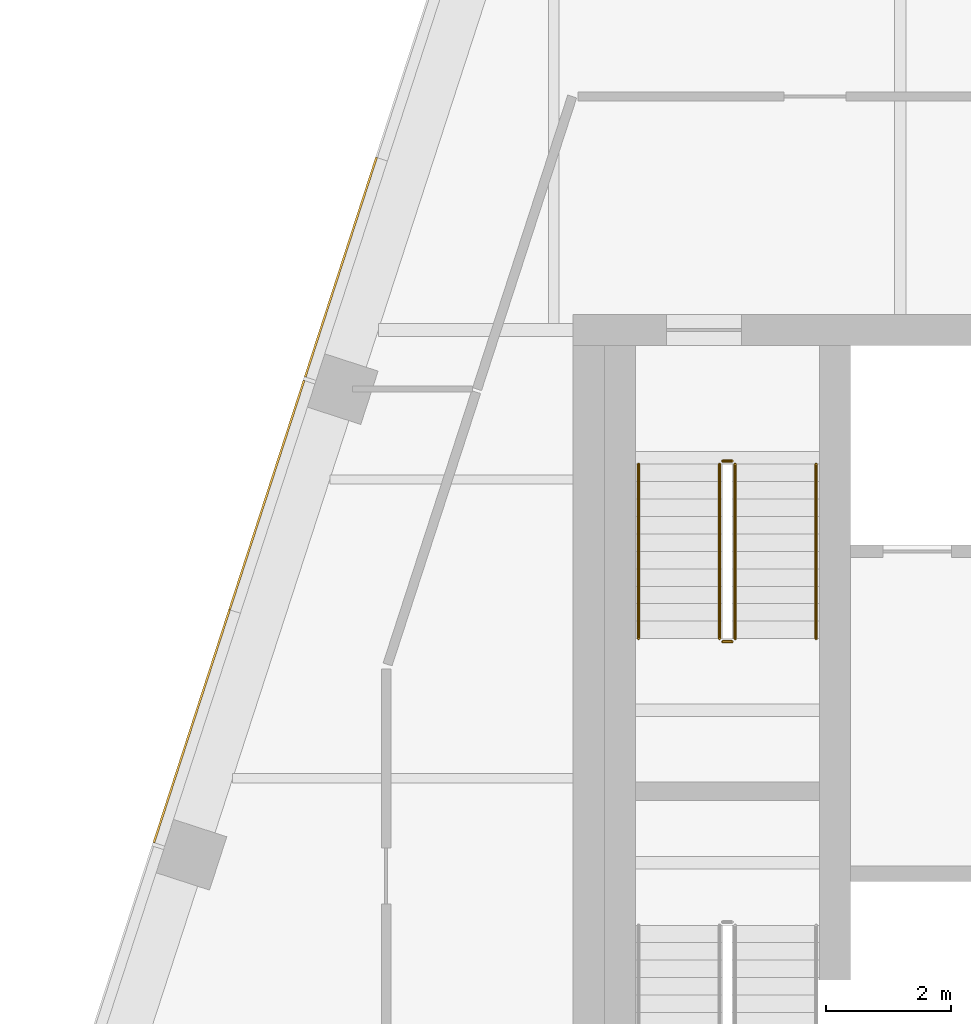
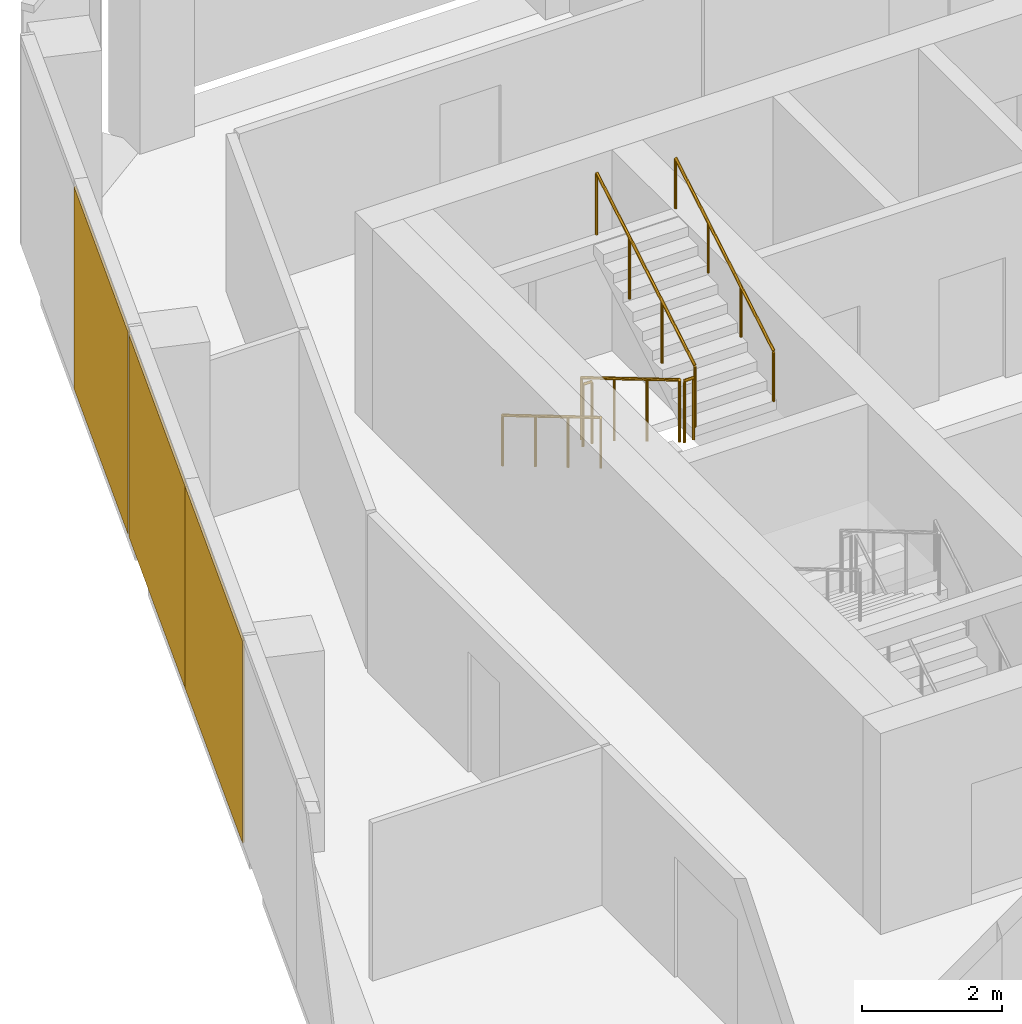
# One storey, part 14 of 15: 6 railings, 3 coverings, 1 element without a shape of its own.
"""IFC4 building model written with IfcOpenShell, lengths in metres."""

from ifc_helpers import new_model, si_unit, direction, frame, origin, origin_2d, place, context, subcontext, project, spatial, rectangle, circle, extrude, material, layer, layer_set, type_object, element, aggregate, save


model = new_model("IFC4")

# Units and contexts
model_context = context("Model", 3, precision=1e-05, world=origin(), true_north=direction((0.0, 1.0)))
body_context = subcontext(model_context, "Body", "Model", "MODEL_VIEW")
ifc_project = project(units=[si_unit("LENGTHUNIT", "METRE"), si_unit("AREAUNIT", "SQUARE_METRE"), si_unit("VOLUMEUNIT", "CUBIC_METRE"), si_unit("PLANEANGLEUNIT", "RADIAN"), si_unit("MASSUNIT", "GRAM", prefix="KILO")], contexts=[model_context])

# Site, building, storey
site_placement = place(None, origin())
site = spatial("IfcSite", under=ifc_project, at=site_placement, CompositionType="ELEMENT")
building_placement = place(site_placement, origin())
building = spatial("IfcBuilding", under=site, at=building_placement, Name="Isthmus Gate Tower", CompositionType="ELEMENT")
storey_placement = place(building_placement, frame((0.0, 0.0, 286.5)))
storey = spatial("IfcBuildingStorey", under=building, at=storey_placement, Name="L73", CompositionType="ELEMENT", Elevation=286.5)

# Curtain wall, coverings
ifc_material_1 = material(Name="Aluminium, pale champagne anodised", Category="aluminium")
ifc_layer_1 = layer(ifc_material_1, 0.199951171875)
ifc_layer_set_1 = layer_set([ifc_layer_1], Name="CW-1 UNITISED CURTAIN WALL 200 DEEP")
curtain_wall_type = type_object("IfcCurtainWallType", Name="CW-1 UNITISED CURTAIN WALL 200 DEEP", PredefinedType="NOTDEFINED", material=ifc_layer_set_1)
curtain_wall_placement = place(storey_placement, origin())
curtain_wall = element("IfcCurtainWall", 1, at=curtain_wall_placement, inside=storey, type_object=curtain_wall_type, Name="CW-1 NW L73", PredefinedType="NOTDEFINED")
ifc_material_2 = material(Name="Aluminium composite panel, pale champagne anodised", Category="aluminium")
ifc_layer_2 = layer(ifc_material_2, 0.031982421875)
ifc_layer_set_2 = layer_set([ifc_layer_2], Name="CW-1 PALE METAL PANEL 32")
covering_type = type_object("IfcCoveringType", Name="CW-1 PALE METAL PANEL 32", PredefinedType="CLADDING", material=ifc_layer_set_2)
covering_1_placement = place(storey_placement, frame((-18.727783203125, 15.760498046875, 0.0), z_axis=(0.0, 0.0, 1.0), x_axis=(-0.309016994375, -0.951056516295, 0.0)))
covering_1 = element("IfcCovering", 2, at=covering_1_placement, type_object=covering_type, Name="CW-1 pale metal panel", PredefinedType="CLADDING", context=body_context, shape_type="SweptSolid", body=[
    extrude(rectangle(XDim=3.703369140625, YDim=0.031982421875, at=origin_2d()), origin(), (0.0, 0.0, 1.0), 3.52001953125),
])
covering_2_placement = place(storey_placement, frame((-19.916259765625, 12.10302734375, 0.0), z_axis=(0.0, 0.0, 1.0), x_axis=(-0.309016994375, -0.951056516295, 0.0)))
covering_2 = element("IfcCovering", 3, at=covering_2_placement, type_object=covering_type, Name="CW-1 pale metal panel", PredefinedType="CLADDING", context=body_context, shape_type="SweptSolid", body=[
    extrude(rectangle(XDim=3.868408203125, YDim=0.031982421875, at=origin_2d()), origin(), (0.0, 0.0, 1.0), 3.52001953125),
])
covering_3_placement = place(storey_placement, frame((-21.120849609375, 8.395263671875, 0.0), z_axis=(0.0, 0.0, 1.0), x_axis=(-0.309016994375, -0.951056516295, 0.0)))
covering_3 = element("IfcCovering", 4, at=covering_3_placement, type_object=covering_type, Name="CW-1 pale metal panel", PredefinedType="CLADDING", context=body_context, shape_type="SweptSolid", body=[
    extrude(rectangle(XDim=3.928466796875, YDim=0.031982421875, at=origin_2d()), origin(), (0.0, 0.0, 1.0), 3.52001953125),
])
aggregate(curtain_wall, [covering_1, covering_2, covering_3])

# Railings
ifc_material_3 = material(Name="Stainless steel balustrade", Category="steel")
railing_type_1 = type_object("IfcRailingType", Name="STAIR GUARD 1100", PredefinedType="GUARDRAIL", material=ifc_material_3)
railing_1_placement = place(storey_placement, frame((-12.64990234375, 12.60009765625, 0.166015625)))
element("IfcRailing", 5, at=railing_1_placement, inside=storey, type_object=railing_type_1, Name="L73 ST1 stair guard 1", PredefinedType="GUARDRAIL", context=body_context, shape_type="SweptSolid", body=[
    extrude(circle(Radius=0.02392578125, at=origin_2d()), frame((0.0, 0.0, 1.076171875), z_axis=(0.0, -0.860339051648, 0.50972219513), x_axis=(1.0, 0.0, 0.0)), (0.0, 0.0, 1.0), 3.254638671875),
    extrude(circle(Radius=0.02099609375, at=origin_2d()), origin(), (0.0, 0.0, 1.0), 1.052001953125),
    extrude(circle(Radius=0.02099609375, at=origin_2d()), frame((0.0, -0.933349609375, 0.552978515625)), (0.0, 0.0, 1.0), 1.052001953125),
    extrude(circle(Radius=0.02099609375, at=origin_2d()), frame((0.0, -1.86669921875, 1.10595703125)), (0.0, 0.0, 1.0), 1.052001953125),
    extrude(circle(Radius=0.02099609375, at=origin_2d()), frame((0.0, -2.800048828125, 1.658935546875)), (0.0, 0.0, 1.0), 1.052001953125),
])
railing_2_placement = place(storey_placement, frame((-12.60009765625, 9.75, 1.824951171875)))
element("IfcRailing", 6, at=railing_2_placement, inside=storey, type_object=railing_type_1, Name="L73 ST1 stair guard 2", PredefinedType="GUARDRAIL", context=body_context, shape_type="SweptSolid", body=[
    extrude(circle(Radius=0.02392578125, at=origin_2d()), frame((0.0, 0.0, 1.076171875), z_axis=(1.0, 0.0, 0.0), x_axis=(0.0, 1.0, 0.0)), (0.0, 0.0, 1.0), 0.150146484375),
    extrude(circle(Radius=0.02099609375, at=origin_2d()), origin(), (0.0, 0.0, 1.0), 1.052001953125),
    extrude(circle(Radius=0.02099609375, at=origin_2d()), frame((0.150146484375, 0.0, 0.0)), (0.0, 0.0, 1.0), 1.052001953125),
])
railing_3_placement = place(storey_placement, frame((-12.39990234375, 9.800048828125, 1.990966796875)))
element("IfcRailing", 7, at=railing_3_placement, inside=storey, type_object=railing_type_1, Name="L73 ST1 stair guard 3", PredefinedType="GUARDRAIL", context=body_context, shape_type="SweptSolid", body=[
    extrude(circle(Radius=0.02392578125, at=origin_2d()), frame((0.0, 0.0, 1.076171875), z_axis=(0.0, 0.860339051648, 0.50972219513), x_axis=(-1.0, 0.0, 0.0)), (0.0, 0.0, 1.0), 3.254638671875),
    extrude(circle(Radius=0.02099609375, at=origin_2d()), origin(), (0.0, 0.0, 1.0), 1.052001953125),
    extrude(circle(Radius=0.02099609375, at=origin_2d()), frame((0.0, 0.933349609375, 0.552978515625)), (0.0, 0.0, 1.0), 1.052001953125),
    extrude(circle(Radius=0.02099609375, at=origin_2d()), frame((0.0, 1.86669921875, 1.10595703125)), (0.0, 0.0, 1.0), 1.052001953125),
    extrude(circle(Radius=0.02099609375, at=origin_2d()), frame((0.0, 2.800048828125, 1.658935546875)), (0.0, 0.0, 1.0), 1.052001953125),
])
railing_4_placement = place(storey_placement, frame((-12.60009765625, 12.64990234375, 0.0)))
element("IfcRailing", 8, at=railing_4_placement, inside=storey, type_object=railing_type_1, Name="L73 ST1 stair guard 4", PredefinedType="GUARDRAIL", context=body_context, shape_type="SweptSolid", body=[
    extrude(circle(Radius=0.02392578125, at=origin_2d()), frame((0.0, 0.0, 1.076171875), z_axis=(1.0, 0.0, 0.0), x_axis=(0.0, 1.0, 0.0)), (0.0, 0.0, 1.0), 0.150146484375),
    extrude(circle(Radius=0.02099609375, at=origin_2d()), origin(), (0.0, 0.0, 1.0), 1.052001953125),
    extrude(circle(Radius=0.02099609375, at=origin_2d()), frame((0.150146484375, 0.0, 0.0)), (0.0, 0.0, 1.0), 1.052001953125),
])
ifc_material_4 = material(Name="Stainless steel handrail", Category="steel")
railing_type_2 = type_object("IfcRailingType", Name="STAIR HANDRAIL 900", PredefinedType="HANDRAIL", material=ifc_material_4)
railing_5_placement = place(storey_placement, frame((-13.949951171875, 12.60009765625, 0.166015625)))
element("IfcRailing", 9, at=railing_5_placement, inside=storey, type_object=railing_type_2, Name="L73 ST1 stair handrail 1", PredefinedType="HANDRAIL", context=body_context, shape_type="SweptSolid", body=[
    extrude(circle(Radius=0.02392578125, at=origin_2d()), frame((0.0, 0.0, 0.8759765625), z_axis=(0.0, -0.860339051648, 0.50972219513), x_axis=(1.0, 0.0, 0.0)), (0.0, 0.0, 1.0), 3.254638671875),
    extrude(circle(Radius=0.02099609375, at=origin_2d()), origin(), (0.0, 0.0, 1.0), 0.851806640625),
    extrude(circle(Radius=0.02099609375, at=origin_2d()), frame((0.0, -0.933349609375, 0.552978515625)), (0.0, 0.0, 1.0), 0.851806640625),
    extrude(circle(Radius=0.02099609375, at=origin_2d()), frame((0.0, -1.86669921875, 1.10595703125)), (0.0, 0.0, 1.0), 0.851806640625),
    extrude(circle(Radius=0.02099609375, at=origin_2d()), frame((0.0, -2.800048828125, 1.658935546875)), (0.0, 0.0, 1.0), 0.851806640625),
])
railing_6_placement = place(storey_placement, frame((-11.10009765625, 9.800048828125, 1.990966796875)))
element("IfcRailing", 10, at=railing_6_placement, inside=storey, type_object=railing_type_2, Name="L73 ST1 stair handrail 2", PredefinedType="HANDRAIL", context=body_context, shape_type="SweptSolid", body=[
    extrude(circle(Radius=0.02392578125, at=origin_2d()), frame((0.0, 0.0, 0.8759765625), z_axis=(0.0, 0.860339051648, 0.50972219513), x_axis=(-1.0, 0.0, 0.0)), (0.0, 0.0, 1.0), 3.254638671875),
    extrude(circle(Radius=0.02099609375, at=origin_2d()), origin(), (0.0, 0.0, 1.0), 0.851806640625),
    extrude(circle(Radius=0.02099609375, at=origin_2d()), frame((0.0, 0.933349609375, 0.552978515625)), (0.0, 0.0, 1.0), 0.851806640625),
    extrude(circle(Radius=0.02099609375, at=origin_2d()), frame((0.0, 1.86669921875, 1.10595703125)), (0.0, 0.0, 1.0), 0.851806640625),
    extrude(circle(Radius=0.02099609375, at=origin_2d()), frame((0.0, 2.800048828125, 1.658935546875)), (0.0, 0.0, 1.0), 0.851806640625),
])

save(model, "model.ifc")
